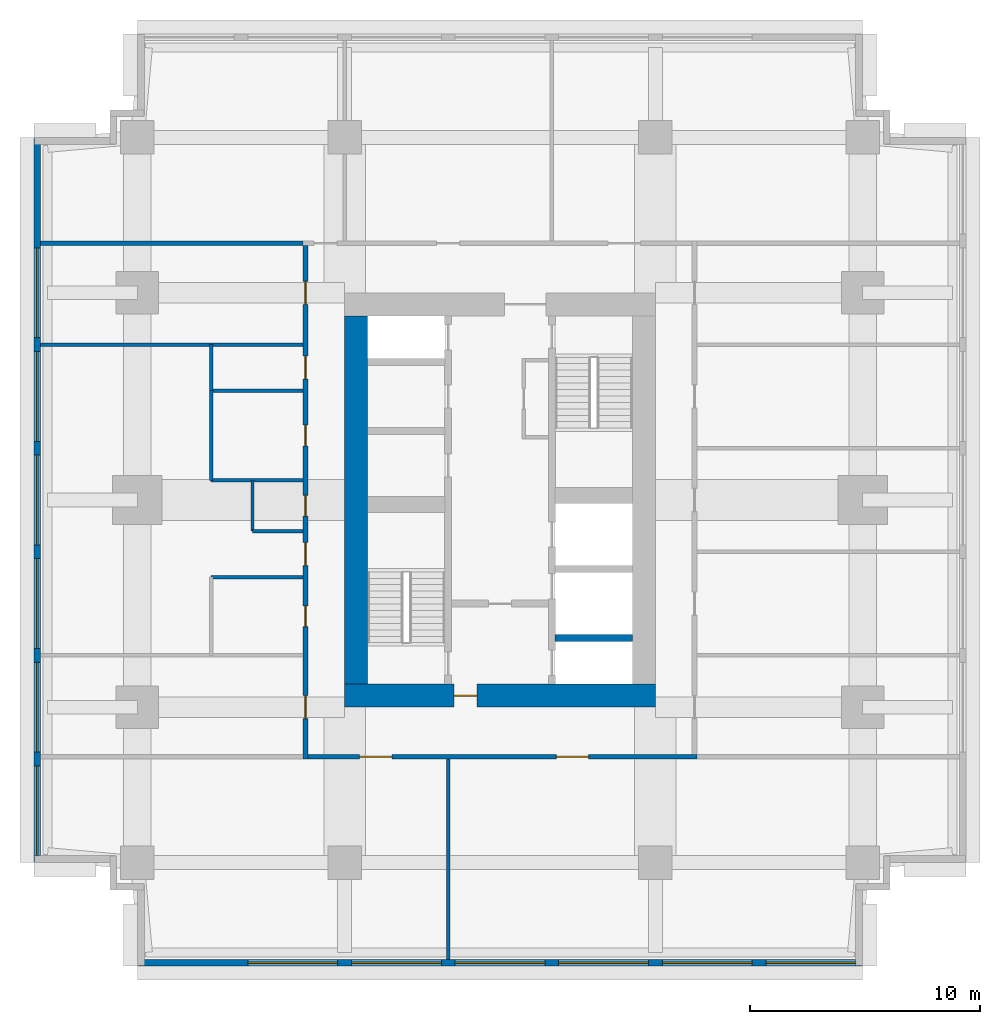
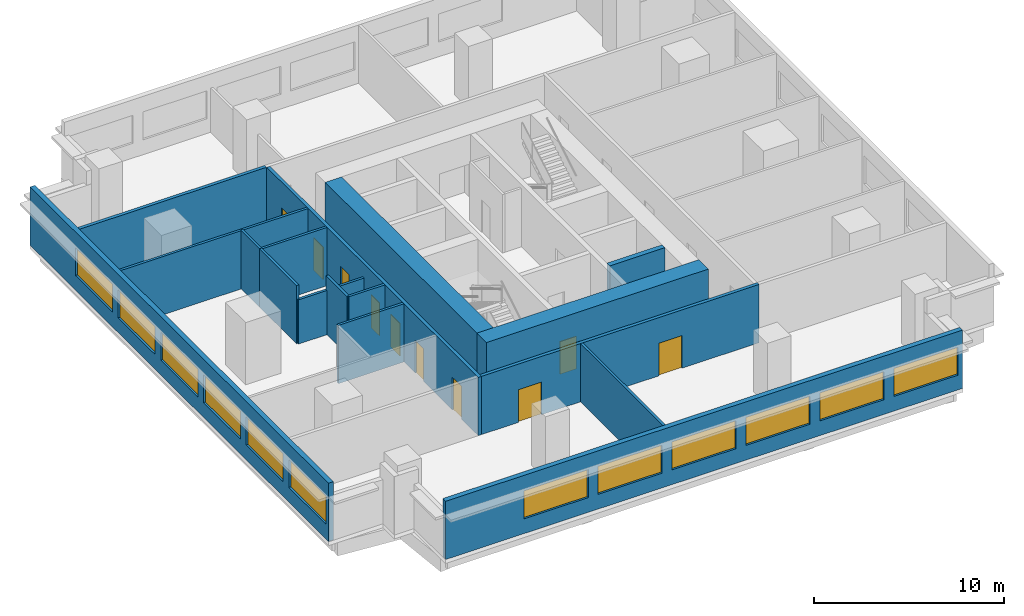
# One storey, part 2 of 5: 17 walls, 12 windows, 10 doors, 22 openings.
"""IFC4 building model written with IfcOpenShell, lengths in metres."""

import ifcopenshell
import ifcopenshell.guid

model = None  # the IFC model being written
_history = None  # IfcOwnerHistory: only IFC2X3 demands one
_inside = {}  # id of a spatial element -> (the spatial element, [elements in it])
_under = {}  # id of a project, library or spatial element -> (it, [spatial elements below it])
_declared = {}  # id of a project -> (the project, [libraries it declares])
_typed = {}  # id of a type object -> (the type object, [elements of that type])
_made_of = {}  # id of a material, layer set ... -> (it, [elements and type objects made of it])


def new_model(schema):
    """Start an empty IFC model of exactly this schema.

    Asked for "IFC4X3", IfcOpenShell would pick the latest addendum, in which some entities
    have other attributes; the version numbers below select the first issue.
    IFC2X3 requires an IfcOwnerHistory on every rooted entity: one is made here for all.
    """
    global model, _history
    if schema == "IFC4X3":
        model = ifcopenshell.file(schema_version=(4, 3, 0, 0))
    else:
        model = ifcopenshell.file(schema=schema)
    _inside.clear()
    _under.clear()
    _declared.clear()
    _typed.clear()
    _made_of.clear()
    _history = None
    if model.schema == "IFC2X3":
        org = make("IfcOrganization", Name="unknown")
        user = make(
            "IfcPersonAndOrganization",
            ThePerson=make("IfcPerson", FamilyName="unknown"),
            TheOrganization=org,
        )
        app = make(
            "IfcApplication",
            ApplicationDeveloper=org,
            Version="unknown",
            ApplicationFullName="unknown",
            ApplicationIdentifier="unknown",
        )
        _history = make(
            "IfcOwnerHistory",
            OwningUser=user,
            OwningApplication=app,
            ChangeAction="ADDED",
            CreationDate=0,
        )
    return model


def make(cls, **values):
    """One entity of the class cls with the attributes given. An attribute that is None is left unset."""
    return model.create_entity(
        cls, **{name: value for name, value in values.items() if value is not None}
    )


def rooted(cls, **values):
    """An entity with a GlobalId (a new one), such as an element, a storey or a relation."""
    return make(cls, GlobalId=ifcopenshell.guid.new(), OwnerHistory=_history, **values)


def si_unit(unit_type, name, prefix=None):
    """IfcSIUnit, for example si_unit("LENGTHUNIT", "METRE", prefix="MILLI")."""
    return make("IfcSIUnit", UnitType=unit_type, Prefix=prefix, Name=name)


def assignment(units):
    """IfcUnitAssignment: the units of a project."""
    return None if units is None else make("IfcUnitAssignment", Units=units)


def point(xyz):
    """IfcCartesianPoint."""
    return None if xyz is None else make("IfcCartesianPoint", Coordinates=xyz)


def direction(xyz):
    """IfcDirection."""
    return None if xyz is None else make("IfcDirection", DirectionRatios=xyz)


def frame(location, z_axis=None, x_axis=None):
    """IfcAxis2Placement3D, a coordinate frame: its origin and axes. An axis left out is left unset."""
    return make(
        "IfcAxis2Placement3D",
        Location=point(location),
        Axis=direction(z_axis),
        RefDirection=direction(x_axis),
    )


def frame_2d(location, x_axis=None):
    """IfcAxis2Placement2D, a coordinate frame in the plane: its origin and x axis."""
    return make(
        "IfcAxis2Placement2D", Location=point(location), RefDirection=direction(x_axis)
    )


def origin():
    """The frame at (0, 0, 0) with its axes left unset."""
    return frame((0.0, 0.0, 0.0))


def place(relative_to, where):
    """IfcLocalPlacement: puts the frame where relative to a parent placement (None: the world)."""
    return make(
        "IfcLocalPlacement", PlacementRelTo=relative_to, RelativePlacement=where
    )


def context(
    kind, dimensions, precision=None, world=None, true_north=None, identifier=None
):
    """IfcGeometricRepresentationContext, for example the 3D "Model" context."""
    return make(
        "IfcGeometricRepresentationContext",
        ContextIdentifier=identifier,
        ContextType=kind,
        CoordinateSpaceDimension=dimensions,
        Precision=precision,
        WorldCoordinateSystem=world,
        TrueNorth=true_north,
    )


def subcontext(parent, identifier, kind, view, scale=None):
    """IfcGeometricRepresentationSubContext, for example "Body" below "Model"."""
    return make(
        "IfcGeometricRepresentationSubContext",
        ContextIdentifier=identifier,
        ContextType=kind,
        ParentContext=parent,
        TargetScale=scale,
        TargetView=view,
    )


def project(units=None, contexts=None):
    """IfcProject with its units and contexts."""
    return rooted(
        "IfcProject",
        Name="project",
        RepresentationContexts=contexts,
        UnitsInContext=assignment(units),
    )


def spatial(cls, under=None, at=None, **own):
    """A site, building, storey or space (cls), placed at a placement, below another one or the project."""
    s = rooted(cls, ObjectPlacement=at, **own)
    if under is not None:
        _under.setdefault(under.id(), (under, []))[1].append(s)
    return s


def profile(cls, at=None, kind="AREA", **sizes):
    """A parametric profile (cls). Its sizes go by their IFC names, for example OverallWidth=200.0."""
    return make(cls, ProfileType=kind, Position=at, **sizes)


def rectangle(**sizes):
    """IfcRectangleProfileDef."""
    return profile("IfcRectangleProfileDef", **sizes)


def extrude(swept, where, along, depth):
    """IfcExtrudedAreaSolid: the profile swept, set in the frame where, extruded along a direction by depth."""
    return make(
        "IfcExtrudedAreaSolid",
        SweptArea=swept,
        Position=where,
        ExtrudedDirection=direction(along),
        Depth=depth,
    )


def shape(context_of_items, identifier, shape_type, items):
    """IfcShapeRepresentation: the items that make up one representation, for example the "Body"."""
    return make(
        "IfcShapeRepresentation",
        ContextOfItems=context_of_items,
        RepresentationIdentifier=identifier,
        RepresentationType=shape_type,
        Items=items,
    )


def material(Name=None, Category=None):
    """IfcMaterial."""
    return make("IfcMaterial", Name=Name, Category=Category)


def layer(
    of_material, thickness, ventilated=None, Name=None, Category=None, Priority=None
):
    """IfcMaterialLayer: one layer of a wall or slab, of a material (None: an air gap)."""
    return make(
        "IfcMaterialLayer",
        Material=of_material,
        LayerThickness=thickness,
        IsVentilated=ventilated,
        Name=Name,
        Category=Category,
        Priority=Priority,
    )


def layer_set(layers, Name=None):
    """IfcMaterialLayerSet."""
    return make("IfcMaterialLayerSet", MaterialLayers=layers, LayerSetName=Name)


def made_of(thing, what):
    """Note that an element or type object is made of a material, layer set ...; save() writes the relation."""
    if what is not None:
        _made_of.setdefault(what.id(), (what, []))[1].append(thing)
    return thing


def type_object(cls, material=None, **own):
    """A type object (cls), such as IfcWallType, which elements share."""
    return made_of(rooted(cls, **own), material)


def element(
    cls,
    number,
    at=None,
    inside=None,
    cuts=None,
    type_object=None,
    material=None,
    context=None,
    identifier="Body",
    shape_type=None,
    held_by="IfcProductDefinitionShape",
    body=None,
    shapes=None,
    **own,
):
    """One element of the class cls, such as IfcWall. Its Tag is "e" and its number.

    at: its placement. inside: the storey or other place that contains it. cuts: it is an
    opening in that element (IfcRelVoidsElement). A single representation is given by context,
    identifier, shape_type and body (its items); several are given by shapes. held_by: the class
    of the entity that holds the representations. save() writes the other relations.
    """
    e = rooted(cls, Tag="e%d" % number, ObjectPlacement=at, **own)
    if body is not None:
        shapes = [shape(context, identifier, shape_type, body)]
    if shapes is not None:
        e.Representation = make(held_by, Representations=shapes)
    if inside is not None:
        _inside.setdefault(inside.id(), (inside, []))[1].append(e)
    if cuts is not None:
        rooted(
            "IfcRelVoidsElement", RelatingBuildingElement=cuts, RelatedOpeningElement=e
        )
    if type_object is not None:
        _typed.setdefault(type_object.id(), (type_object, []))[1].append(e)
    return made_of(e, material)


def fill(opening, filler):
    """IfcRelFillsElement: the door or window that sits in an opening."""
    return rooted(
        "IfcRelFillsElement",
        RelatingOpeningElement=opening,
        RelatedBuildingElement=filler,
    )


def aggregate(whole, parts):
    """IfcRelAggregates: a whole, such as a stair, and the parts it consists of."""
    return rooted("IfcRelAggregates", RelatingObject=whole, RelatedObjects=parts)


def save(model, path):
    """Write the relations noted so far, then the file.

    IfcRelAggregates (storeys below a building ...), IfcRelContainedInSpatialStructure (elements
    in a storey), IfcRelDefinesByType, IfcRelAssociatesMaterial and IfcRelDeclares: one each for
    every whole, place, type object, material and project.
    """
    for whole, parts in _under.values():
        aggregate(whole, parts)
    for where, things in _inside.values():
        rooted(
            "IfcRelContainedInSpatialStructure",
            RelatedElements=things,
            RelatingStructure=where,
        )
    for kind, things in _typed.values():
        rooted("IfcRelDefinesByType", RelatedObjects=things, RelatingType=kind)
    for what, things in _made_of.values():
        rooted("IfcRelAssociatesMaterial", RelatedObjects=things, RelatingMaterial=what)
    for by, libraries in _declared.values():
        rooted("IfcRelDeclares", RelatingContext=by, RelatedDefinitions=libraries)
    model.write(path)


model = new_model("IFC4")

# Units and contexts
model_context = context("Model", 3, precision=1e-05, world=origin(), true_north=direction((0.0, 1.0)))
body_context = subcontext(model_context, "Body", "Model", "MODEL_VIEW")
ifc_project = project(units=[si_unit("LENGTHUNIT", "METRE"), si_unit("AREAUNIT", "SQUARE_METRE"), si_unit("VOLUMEUNIT", "CUBIC_METRE"), si_unit("PLANEANGLEUNIT", "RADIAN"), si_unit("MASSUNIT", "GRAM", prefix="KILO")], contexts=[model_context])

# Site, building, storey
site_placement = place(None, origin())
site = spatial("IfcSite", under=ifc_project, at=site_placement, CompositionType="ELEMENT")
building_placement = place(site_placement, origin())
building = spatial("IfcBuilding", under=site, at=building_placement, Name="Namib Vertical Campus", CompositionType="ELEMENT")
storey_placement = place(building_placement, frame((0.0, 0.0, 257.0)))
storey = spatial("IfcBuildingStorey", under=building, at=storey_placement, Name="L60", CompositionType="ELEMENT", Elevation=257.0)

# Wall
ifc_material_1 = material(Name="Concrete C60/75", Category="concrete")
ifc_layer_1 = layer(ifc_material_1, 0.300048828125)
ifc_layer_set_1 = layer_set([ifc_layer_1], Name="Concrete C60/75")
wall_type_1 = type_object("IfcWallType", Name="Core inner wall 300", PredefinedType="SHEAR", material=ifc_layer_set_1)
wall_1_placement = place(storey_placement, frame((22.64990234375, 14.25, 0.0), z_axis=(0.0, 0.0, 1.0), x_axis=(1.0, 0.0, 0.0)))
element("IfcWall", 1, at=wall_1_placement, inside=storey, type_object=wall_type_1, Name="Core inner wall A L60 W5", PredefinedType="SHEAR", context=body_context, shape_type="SweptSolid", body=[
    extrude(rectangle(XDim=3.35009765625, YDim=0.300048828125, at=frame_2d((1.675048828125, 0.0))), origin(), (0.0, 0.0, 1.0), 4.0),
])

# Wall, opening, door
ifc_material_2 = material(Name="Concrete C60/75", Category="concrete")
ifc_layer_2 = layer(ifc_material_2, 1.0)
ifc_layer_set_2 = layer_set([ifc_layer_2], Name="Concrete C60/75")
wall_type_2 = type_object("IfcWallType", Name="Core wall 1000", PredefinedType="SHEAR", material=ifc_layer_set_2)
wall_2_placement = place(storey_placement, frame((13.5, 11.75, 0.0), z_axis=(0.0, 0.0, 1.0), x_axis=(1.0, 0.0, 0.0)))
wall_2 = element("IfcWall", 2, at=wall_2_placement, inside=storey, type_object=wall_type_2, Name="Core wall A L60 1", PredefinedType="SHEAR", context=body_context, shape_type="SweptSolid", body=[
    extrude(rectangle(XDim=13.5, YDim=1.0, at=frame_2d((6.75, 0.0))), origin(), (0.0, 0.0, 1.0), 4.0),
])
opening_1_placement = place(wall_2_placement, frame((4.75, 0.0, 0.0)))
opening_1 = element("IfcOpeningElement", 3, at=opening_1_placement, cuts=wall_2, Name="Opening FD5", PredefinedType="OPENING", context=body_context, shape_type="SweptSolid", body=[
    extrude(rectangle(XDim=1.0, YDim=2.10009765625, at=frame_2d((0.5, 1.050048828125))), frame((0.0, 0.510009765625, 0.0), z_axis=(0.0, -1.0, 0.0), x_axis=(1.0, 0.0, 0.0)), (0.0, 0.0, 1.0), 1.02001953125),
])
ifc_material_3 = material(Name="Steel fire door", Category="steel")
door_type_1 = type_object("IfcDoorType", Name="Fire door 1000x2100 120 min", OperationType="SINGLE_SWING_RIGHT", PredefinedType="DOOR", material=ifc_material_3)
door_1_placement = place(opening_1_placement, origin())
door_1 = element("IfcDoor", 4, at=door_1_placement, inside=storey, type_object=door_type_1, Name="Firefighting lobby door FD5 A L60", OperationType="SINGLE_SWING_LEFT", OverallHeight=2.10009765625, OverallWidth=1.0, PredefinedType="DOOR", context=body_context, shape_type="SweptSolid", body=[
    extrude(rectangle(XDim=1.0, YDim=2.10009765625, at=frame_2d((0.5, 1.050048828125))), frame((0.0, 0.02490234375, 0.0), z_axis=(0.0, -1.0, 0.0), x_axis=(1.0, 0.0, 0.0)), (0.0, 0.0, 1.0), 0.050048828125),
])
fill(opening_1, door_1)

# Wall
wall_3_placement = place(storey_placement, frame((14.0, 28.25, 0.0), z_axis=(0.0, 0.0, 1.0), x_axis=(0.0, -1.0, 0.0)))
element("IfcWall", 5, at=wall_3_placement, inside=storey, type_object=wall_type_2, Name="Core wall A L60 4", PredefinedType="SHEAR", context=body_context, shape_type="SweptSolid", body=[
    extrude(rectangle(XDim=16.0, YDim=1.0, at=frame_2d((8.0, 0.0))), origin(), (0.0, 0.0, 1.0), 4.0),
])

# Wall, openings, doors
ifc_material_4 = material(Name="Concrete masonry", Category="masonry")
ifc_layer_3 = layer(ifc_material_4, 0.199951171875)
ifc_layer_set_3 = layer_set([ifc_layer_3], Name="Corridor wall 200")
wall_type_3 = type_object("IfcWallType", Name="Corridor wall 200", PredefinedType="SOLIDWALL", material=ifc_layer_set_3)
wall_4_placement = place(storey_placement, frame((11.89990234375, 9.10009765625, 0.0), z_axis=(0.0, 0.0, 1.0), x_axis=(1.0, 0.0, 0.0)))
wall_4 = element("IfcWall", 6, at=wall_4_placement, inside=storey, type_object=wall_type_3, Name="Corridor wall A L60 CS", PredefinedType="SOLIDWALL", context=body_context, shape_type="SweptSolid", body=[
    extrude(rectangle(XDim=16.900146484375, YDim=0.199951171875, at=frame_2d((8.4501953125, 0.0))), origin(), (0.0, 0.0, 1.0), 3.75),
])
opening_2_placement = place(wall_4_placement, frame((2.25, 0.0, 0.0)))
opening_2 = element("IfcOpeningElement", 7, at=opening_2_placement, cuts=wall_4, Name="Opening LB1", PredefinedType="OPENING", context=body_context, shape_type="SweptSolid", body=[
    extrude(rectangle(XDim=1.39990234375, YDim=2.10009765625, at=frame_2d((0.699951171875, 1.050048828125))), frame((0.0, 0.10986328125, 0.0), z_axis=(0.0, -1.0, 0.0), x_axis=(1.0, 0.0, 0.0)), (0.0, 0.0, 1.0), 0.219970703125),
])
opening_3_placement = place(wall_4_placement, frame((10.800048828125, 0.0, 0.0)))
opening_3 = element("IfcOpeningElement", 8, at=opening_3_placement, cuts=wall_4, Name="Opening LB1", PredefinedType="OPENING", context=body_context, shape_type="SweptSolid", body=[
    extrude(rectangle(XDim=1.39990234375, YDim=2.10009765625, at=frame_2d((0.699951171875, 1.050048828125))), frame((0.0, 0.10986328125, 0.0), z_axis=(0.0, -1.0, 0.0), x_axis=(1.0, 0.0, 0.0)), (0.0, 0.0, 1.0), 0.219970703125),
])
ifc_material_5 = material(Name="Timber fire door leaf", Category="wood")
door_type_2 = type_object("IfcDoorType", Name="Laboratory door 1400x2100 leaf and a half", OperationType="DOUBLE_DOOR_SINGLE_SWING", PredefinedType="DOOR", material=ifc_material_5)
door_2_placement = place(opening_2_placement, frame((1.39990234375, 0.0, 0.0), z_axis=(0.0, 0.0, 1.0), x_axis=(-1.0, 0.0, 0.0)))
door_2 = element("IfcDoor", 9, at=door_2_placement, inside=storey, type_object=door_type_2, Name="Door LB1 A60-01", OperationType="DOUBLE_DOOR_SINGLE_SWING", OverallHeight=2.10009765625, OverallWidth=1.39990234375, PredefinedType="DOOR", context=body_context, shape_type="SweptSolid", body=[
    extrude(rectangle(XDim=1.39990234375, YDim=2.10009765625, at=frame_2d((0.699951171875, 1.050048828125))), frame((0.0, 0.02490234375, 0.0), z_axis=(0.0, -1.0, 0.0), x_axis=(1.0, 0.0, 0.0)), (0.0, 0.0, 1.0), 0.050048828125),
])
fill(opening_2, door_2)
door_3_placement = place(opening_3_placement, frame((1.39990234375, 0.0, 0.0), z_axis=(0.0, 0.0, 1.0), x_axis=(-1.0, 0.0, 0.0)))
door_3 = element("IfcDoor", 10, at=door_3_placement, inside=storey, type_object=door_type_2, Name="Door LB1 A60-02", OperationType="DOUBLE_DOOR_SINGLE_SWING", OverallHeight=2.10009765625, OverallWidth=1.39990234375, PredefinedType="DOOR", context=body_context, shape_type="SweptSolid", body=[
    extrude(rectangle(XDim=1.39990234375, YDim=2.10009765625, at=frame_2d((0.699951171875, 1.050048828125))), frame((0.0, 0.02490234375, 0.0), z_axis=(0.0, -1.0, 0.0), x_axis=(1.0, 0.0, 0.0)), (0.0, 0.0, 1.0), 0.050048828125),
])
fill(opening_3, door_3)

wall_5_placement = place(storey_placement, frame((11.800048828125, 31.300048828125, 0.0), z_axis=(0.0, 0.0, 1.0), x_axis=(0.0, -1.0, 0.0)))
wall_5 = element("IfcWall", 11, at=wall_5_placement, inside=storey, type_object=wall_type_3, Name="Corridor wall A L60 CW", PredefinedType="SOLIDWALL", context=body_context, shape_type="SweptSolid", body=[
    extrude(rectangle(XDim=22.300048828125, YDim=0.199951171875, at=frame_2d((11.14990234375, 0.0))), origin(), (0.0, 0.0, 1.0), 3.75),
])
opening_4_placement = place(wall_5_placement, frame((19.550048828125, 0.0, 0.0)))
opening_4 = element("IfcOpeningElement", 12, at=opening_4_placement, cuts=wall_5, Name="Opening CD1", PredefinedType="OPENING", context=body_context, shape_type="SweptSolid", body=[
    extrude(rectangle(XDim=1.0, YDim=2.10009765625, at=frame_2d((0.5, 1.050048828125))), frame((0.0, 0.10986328125, 0.0), z_axis=(0.0, -1.0, 0.0), x_axis=(1.0, 0.0, 0.0)), (0.0, 0.0, 1.0), 0.219970703125),
])
opening_5_placement = place(wall_5_placement, frame((15.64990234375, 0.0, 0.0)))
opening_5 = element("IfcOpeningElement", 13, at=opening_5_placement, cuts=wall_5, Name="Opening CD3", PredefinedType="OPENING", context=body_context, shape_type="SweptSolid", body=[
    extrude(rectangle(XDim=0.89990234375, YDim=2.10009765625, at=frame_2d((0.449951171875, 1.050048828125))), frame((0.0, 0.10986328125, 0.0), z_axis=(0.0, -1.0, 0.0), x_axis=(1.0, 0.0, 0.0)), (0.0, 0.0, 1.0), 0.219970703125),
])
opening_6_placement = place(wall_5_placement, frame((10.85009765625, 0.0, 0.0)))
opening_6 = element("IfcOpeningElement", 14, at=opening_6_placement, cuts=wall_5, Name="Opening CD3", PredefinedType="OPENING", context=body_context, shape_type="SweptSolid", body=[
    extrude(rectangle(XDim=0.89990234375, YDim=2.10009765625, at=frame_2d((0.449951171875, 1.050048828125))), frame((0.0, 0.10986328125, 0.0), z_axis=(0.0, -1.0, 0.0), x_axis=(1.0, 0.0, 0.0)), (0.0, 0.0, 1.0), 0.219970703125),
])
opening_7_placement = place(wall_5_placement, frame((7.800048828125, 0.0, 0.0)))
opening_7 = element("IfcOpeningElement", 15, at=opening_7_placement, cuts=wall_5, Name="Opening CD3", PredefinedType="OPENING", context=body_context, shape_type="SweptSolid", body=[
    extrude(rectangle(XDim=0.89990234375, YDim=2.10009765625, at=frame_2d((0.449951171875, 1.050048828125))), frame((0.0, 0.10986328125, 0.0), z_axis=(0.0, -1.0, 0.0), x_axis=(1.0, 0.0, 0.0)), (0.0, 0.0, 1.0), 0.219970703125),
])
opening_8_placement = place(wall_5_placement, frame((4.800048828125, 0.0, 0.0)))
opening_8 = element("IfcOpeningElement", 16, at=opening_8_placement, cuts=wall_5, Name="Opening CD1", PredefinedType="OPENING", context=body_context, shape_type="SweptSolid", body=[
    extrude(rectangle(XDim=1.0, YDim=2.10009765625, at=frame_2d((0.5, 1.050048828125))), frame((0.0, 0.10986328125, 0.0), z_axis=(0.0, -1.0, 0.0), x_axis=(1.0, 0.0, 0.0)), (0.0, 0.0, 1.0), 0.219970703125),
])
opening_9_placement = place(wall_5_placement, frame((12.89990234375, 0.0, 0.0)))
opening_9 = element("IfcOpeningElement", 17, at=opening_9_placement, cuts=wall_5, Name="Opening CD1", PredefinedType="OPENING", context=body_context, shape_type="SweptSolid", body=[
    extrude(rectangle(XDim=1.0, YDim=2.10009765625, at=frame_2d((0.5, 1.050048828125))), frame((0.0, 0.10986328125, 0.0), z_axis=(0.0, -1.0, 0.0), x_axis=(1.0, 0.0, 0.0)), (0.0, 0.0, 1.0), 0.219970703125),
])
opening_10_placement = place(wall_5_placement, frame((1.550048828125, 0.0, 0.0)))
opening_10 = element("IfcOpeningElement", 18, at=opening_10_placement, cuts=wall_5, Name="Opening CD1", PredefinedType="OPENING", context=body_context, shape_type="SweptSolid", body=[
    extrude(rectangle(XDim=1.0, YDim=2.10009765625, at=frame_2d((0.5, 1.050048828125))), frame((0.0, 0.10986328125, 0.0), z_axis=(0.0, -1.0, 0.0), x_axis=(1.0, 0.0, 0.0)), (0.0, 0.0, 1.0), 0.219970703125),
])
ifc_material_6 = material(Name="Timber fire door leaf", Category="wood")
door_type_3 = type_object("IfcDoorType", Name="Corridor door 1000x2100 20 min", OperationType="SINGLE_SWING_LEFT", PredefinedType="DOOR", material=ifc_material_6)
door_4_placement = place(opening_4_placement, frame((1.0, 0.0, 0.0), z_axis=(0.0, 0.0, 1.0), x_axis=(-1.0, 0.0, 0.0)))
door_4 = element("IfcDoor", 19, at=door_4_placement, inside=storey, type_object=door_type_3, Name="Door CD1 A60-11", OperationType="SINGLE_SWING_RIGHT", OverallHeight=2.10009765625, OverallWidth=1.0, PredefinedType="DOOR", context=body_context, shape_type="SweptSolid", body=[
    extrude(rectangle(XDim=1.0, YDim=2.10009765625, at=frame_2d((0.5, 1.050048828125))), frame((0.0, 0.02490234375, 0.0), z_axis=(0.0, -1.0, 0.0), x_axis=(1.0, 0.0, 0.0)), (0.0, 0.0, 1.0), 0.050048828125),
])
fill(opening_4, door_4)
door_5_placement = place(opening_8_placement, frame((1.0, 0.0, 0.0), z_axis=(0.0, 0.0, 1.0), x_axis=(-1.0, 0.0, 0.0)))
door_5 = element("IfcDoor", 20, at=door_5_placement, inside=storey, type_object=door_type_3, Name="Door CD1 A60-15", OperationType="SINGLE_SWING_RIGHT", OverallHeight=2.10009765625, OverallWidth=1.0, PredefinedType="DOOR", context=body_context, shape_type="SweptSolid", body=[
    extrude(rectangle(XDim=1.0, YDim=2.10009765625, at=frame_2d((0.5, 1.050048828125))), frame((0.0, 0.02490234375, 0.0), z_axis=(0.0, -1.0, 0.0), x_axis=(1.0, 0.0, 0.0)), (0.0, 0.0, 1.0), 0.050048828125),
])
fill(opening_8, door_5)
door_6_placement = place(opening_9_placement, frame((1.0, 0.0, 0.0), z_axis=(0.0, 0.0, 1.0), x_axis=(-1.0, 0.0, 0.0)))
door_6 = element("IfcDoor", 21, at=door_6_placement, inside=storey, type_object=door_type_3, Name="Door CD1 A60-16", OperationType="SINGLE_SWING_RIGHT", OverallHeight=2.10009765625, OverallWidth=1.0, PredefinedType="DOOR", context=body_context, shape_type="SweptSolid", body=[
    extrude(rectangle(XDim=1.0, YDim=2.10009765625, at=frame_2d((0.5, 1.050048828125))), frame((0.0, 0.02490234375, 0.0), z_axis=(0.0, -1.0, 0.0), x_axis=(1.0, 0.0, 0.0)), (0.0, 0.0, 1.0), 0.050048828125),
])
fill(opening_9, door_6)
door_7_placement = place(opening_10_placement, frame((1.0, 0.0, 0.0), z_axis=(0.0, 0.0, 1.0), x_axis=(-1.0, 0.0, 0.0)))
door_7 = element("IfcDoor", 22, at=door_7_placement, inside=storey, type_object=door_type_3, Name="Door CD1 A60-17", OperationType="SINGLE_SWING_RIGHT", OverallHeight=2.10009765625, OverallWidth=1.0, PredefinedType="DOOR", context=body_context, shape_type="SweptSolid", body=[
    extrude(rectangle(XDim=1.0, YDim=2.10009765625, at=frame_2d((0.5, 1.050048828125))), frame((0.0, 0.02490234375, 0.0), z_axis=(0.0, -1.0, 0.0), x_axis=(1.0, 0.0, 0.0)), (0.0, 0.0, 1.0), 0.050048828125),
])
fill(opening_10, door_7)
ifc_material_7 = material(Name="Timber fire door leaf", Category="wood")
door_type_4 = type_object("IfcDoorType", Name="Corridor toilet door 900x2100 20 min", OperationType="SINGLE_SWING_LEFT", PredefinedType="DOOR", material=ifc_material_7)
door_8_placement = place(opening_5_placement, frame((0.89990234375, 0.0, 0.0), z_axis=(0.0, 0.0, 1.0), x_axis=(-1.0, 0.0, 0.0)))
door_8 = element("IfcDoor", 23, at=door_8_placement, inside=storey, type_object=door_type_4, Name="Door CD3 A60-12", OperationType="SINGLE_SWING_RIGHT", OverallHeight=2.10009765625, OverallWidth=0.89990234375, PredefinedType="DOOR", context=body_context, shape_type="SweptSolid", body=[
    extrude(rectangle(XDim=0.89990234375, YDim=2.10009765625, at=frame_2d((0.449951171875, 1.050048828125))), frame((0.0, 0.02490234375, 0.0), z_axis=(0.0, -1.0, 0.0), x_axis=(1.0, 0.0, 0.0)), (0.0, 0.0, 1.0), 0.050048828125),
])
fill(opening_5, door_8)
door_9_placement = place(opening_6_placement, frame((0.89990234375, 0.0, 0.0), z_axis=(0.0, 0.0, 1.0), x_axis=(-1.0, 0.0, 0.0)))
door_9 = element("IfcDoor", 24, at=door_9_placement, inside=storey, type_object=door_type_4, Name="Door CD3 A60-13", OperationType="SINGLE_SWING_RIGHT", OverallHeight=2.10009765625, OverallWidth=0.89990234375, PredefinedType="DOOR", context=body_context, shape_type="SweptSolid", body=[
    extrude(rectangle(XDim=0.89990234375, YDim=2.10009765625, at=frame_2d((0.449951171875, 1.050048828125))), frame((0.0, 0.02490234375, 0.0), z_axis=(0.0, -1.0, 0.0), x_axis=(1.0, 0.0, 0.0)), (0.0, 0.0, 1.0), 0.050048828125),
])
fill(opening_6, door_9)
door_10_placement = place(opening_7_placement, frame((0.89990234375, 0.0, 0.0), z_axis=(0.0, 0.0, 1.0), x_axis=(-1.0, 0.0, 0.0)))
door_10 = element("IfcDoor", 25, at=door_10_placement, inside=storey, type_object=door_type_4, Name="Door CD3 A60-14", OperationType="SINGLE_SWING_RIGHT", OverallHeight=2.10009765625, OverallWidth=0.89990234375, PredefinedType="DOOR", context=body_context, shape_type="SweptSolid", body=[
    extrude(rectangle(XDim=0.89990234375, YDim=2.10009765625, at=frame_2d((0.449951171875, 1.050048828125))), frame((0.0, 0.02490234375, 0.0), z_axis=(0.0, -1.0, 0.0), x_axis=(1.0, 0.0, 0.0)), (0.0, 0.0, 1.0), 0.050048828125),
])
fill(opening_7, door_10)

# Wall
wall_6_placement = place(storey_placement, frame((0.300048828125, 31.39990234375, 0.0), z_axis=(0.0, 0.0, 1.0), x_axis=(1.0, 0.0, 0.0)))
element("IfcWall", 26, at=wall_6_placement, inside=storey, type_object=wall_type_3, Name="Partition A L60 BNW", PredefinedType="SOLIDWALL", context=body_context, shape_type="SweptSolid", body=[
    extrude(rectangle(XDim=11.39990234375, YDim=0.199951171875, at=frame_2d((5.699951171875, 0.0))), origin(), (0.0, 0.0, 1.0), 3.75),
])

# Wall, openings, windows
ifc_material_8 = material(Name="Concrete C40/50", Category="concrete")
ifc_layer_4 = layer(ifc_material_8, 0.300048828125)
ifc_layer_set_4 = layer_set([ifc_layer_4], Name="Concrete C40/50")
wall_type_4 = type_object("IfcWallType", Name="External wall 300 board-marked concrete", PredefinedType="STANDARD", material=ifc_layer_set_4)
wall_7_placement = place(storey_placement, frame((4.52001953125, 0.14990234375, 0.0), z_axis=(0.0, 0.0, 1.0), x_axis=(1.0, 0.0, 0.0)))
wall_7 = element("IfcWall", 27, at=wall_7_placement, inside=storey, type_object=wall_type_4, Name="External wall L60 F01", PredefinedType="STANDARD", context=body_context, shape_type="SweptSolid", body=[
    extrude(rectangle(XDim=31.4599609375, YDim=0.300048828125, at=frame_2d((15.72998046875, 0.0))), origin(), (0.0, 0.0, 1.0), 3.75),
])
opening_11_placement = place(wall_7_placement, frame((4.780029296875, 0.0, 0.949951171875)))
opening_11 = element("IfcOpeningElement", 28, at=opening_11_placement, cuts=wall_7, Name="Opening W3", PredefinedType="OPENING", context=body_context, shape_type="SweptSolid", body=[
    extrude(rectangle(XDim=3.89990234375, YDim=1.800048828125, at=frame_2d((1.949951171875, 0.89990234375))), frame((0.0, 0.159912109375, 0.0), z_axis=(0.0, -1.0, 0.0), x_axis=(1.0, 0.0, 0.0)), (0.0, 0.0, 1.0), 0.320068359375),
])
opening_12_placement = place(wall_7_placement, frame((9.280029296875, 0.0, 0.949951171875)))
opening_12 = element("IfcOpeningElement", 29, at=opening_12_placement, cuts=wall_7, Name="Opening W3", PredefinedType="OPENING", context=body_context, shape_type="SweptSolid", body=[
    extrude(rectangle(XDim=3.89990234375, YDim=1.800048828125, at=frame_2d((1.949951171875, 0.89990234375))), frame((0.0, 0.159912109375, 0.0), z_axis=(0.0, -1.0, 0.0), x_axis=(1.0, 0.0, 0.0)), (0.0, 0.0, 1.0), 0.320068359375),
])
opening_13_placement = place(wall_7_placement, frame((13.780029296875, 0.0, 0.949951171875)))
opening_13 = element("IfcOpeningElement", 30, at=opening_13_placement, cuts=wall_7, Name="Opening W3", PredefinedType="OPENING", context=body_context, shape_type="SweptSolid", body=[
    extrude(rectangle(XDim=3.89990234375, YDim=1.800048828125, at=frame_2d((1.949951171875, 0.89990234375))), frame((0.0, 0.159912109375, 0.0), z_axis=(0.0, -1.0, 0.0), x_axis=(1.0, 0.0, 0.0)), (0.0, 0.0, 1.0), 0.320068359375),
])
opening_14_placement = place(wall_7_placement, frame((18.280029296875, 0.0, 0.949951171875)))
opening_14 = element("IfcOpeningElement", 31, at=opening_14_placement, cuts=wall_7, Name="Opening W3", PredefinedType="OPENING", context=body_context, shape_type="SweptSolid", body=[
    extrude(rectangle(XDim=3.89990234375, YDim=1.800048828125, at=frame_2d((1.949951171875, 0.89990234375))), frame((0.0, 0.159912109375, 0.0), z_axis=(0.0, -1.0, 0.0), x_axis=(1.0, 0.0, 0.0)), (0.0, 0.0, 1.0), 0.320068359375),
])
opening_15_placement = place(wall_7_placement, frame((22.780029296875, 0.0, 0.949951171875)))
opening_15 = element("IfcOpeningElement", 32, at=opening_15_placement, cuts=wall_7, Name="Opening W3", PredefinedType="OPENING", context=body_context, shape_type="SweptSolid", body=[
    extrude(rectangle(XDim=3.89990234375, YDim=1.800048828125, at=frame_2d((1.949951171875, 0.89990234375))), frame((0.0, 0.159912109375, 0.0), z_axis=(0.0, -1.0, 0.0), x_axis=(1.0, 0.0, 0.0)), (0.0, 0.0, 1.0), 0.320068359375),
])
opening_16_placement = place(wall_7_placement, frame((27.280029296875, 0.0, 0.949951171875)))
opening_16 = element("IfcOpeningElement", 33, at=opening_16_placement, cuts=wall_7, Name="Opening W3", PredefinedType="OPENING", context=body_context, shape_type="SweptSolid", body=[
    extrude(rectangle(XDim=3.89990234375, YDim=1.800048828125, at=frame_2d((1.949951171875, 0.89990234375))), frame((0.0, 0.159912109375, 0.0), z_axis=(0.0, -1.0, 0.0), x_axis=(1.0, 0.0, 0.0)), (0.0, 0.0, 1.0), 0.320068359375),
])
ifc_material_9 = material(Name="Dark tinted glass in black aluminium frame", Category="aluminium")
window_type = type_object("IfcWindowType", Name="Ribbon window 3900x1800", PartitioningType="SINGLE_PANEL", PredefinedType="WINDOW", material=ifc_material_9)
window_1_placement = place(opening_11_placement, origin())
window_1 = element("IfcWindow", 34, at=window_1_placement, inside=storey, type_object=window_type, Name="Window W3 L60 F01-2", OverallHeight=1.800048828125, OverallWidth=3.89990234375, PartitioningType="SINGLE_PANEL", PredefinedType="WINDOW", context=body_context, shape_type="SweptSolid", body=[
    extrude(rectangle(XDim=3.89990234375, YDim=1.800048828125, at=frame_2d((1.949951171875, 0.89990234375))), frame((0.0, 0.030029296875, 0.0), z_axis=(0.0, -1.0, 0.0), x_axis=(1.0, 0.0, 0.0)), (0.0, 0.0, 1.0), 0.06005859375),
])
fill(opening_11, window_1)
window_2_placement = place(opening_12_placement, origin())
window_2 = element("IfcWindow", 35, at=window_2_placement, inside=storey, type_object=window_type, Name="Window W3 L60 F01-3", OverallHeight=1.800048828125, OverallWidth=3.89990234375, PartitioningType="SINGLE_PANEL", PredefinedType="WINDOW", context=body_context, shape_type="SweptSolid", body=[
    extrude(rectangle(XDim=3.89990234375, YDim=1.800048828125, at=frame_2d((1.949951171875, 0.89990234375))), frame((0.0, 0.030029296875, 0.0), z_axis=(0.0, -1.0, 0.0), x_axis=(1.0, 0.0, 0.0)), (0.0, 0.0, 1.0), 0.06005859375),
])
fill(opening_12, window_2)
window_3_placement = place(opening_13_placement, origin())
window_3 = element("IfcWindow", 36, at=window_3_placement, inside=storey, type_object=window_type, Name="Window W3 L60 F01-4", OverallHeight=1.800048828125, OverallWidth=3.89990234375, PartitioningType="SINGLE_PANEL", PredefinedType="WINDOW", context=body_context, shape_type="SweptSolid", body=[
    extrude(rectangle(XDim=3.89990234375, YDim=1.800048828125, at=frame_2d((1.949951171875, 0.89990234375))), frame((0.0, 0.030029296875, 0.0), z_axis=(0.0, -1.0, 0.0), x_axis=(1.0, 0.0, 0.0)), (0.0, 0.0, 1.0), 0.06005859375),
])
fill(opening_13, window_3)
window_4_placement = place(opening_14_placement, origin())
window_4 = element("IfcWindow", 37, at=window_4_placement, inside=storey, type_object=window_type, Name="Window W3 L60 F01-5", OverallHeight=1.800048828125, OverallWidth=3.89990234375, PartitioningType="SINGLE_PANEL", PredefinedType="WINDOW", context=body_context, shape_type="SweptSolid", body=[
    extrude(rectangle(XDim=3.89990234375, YDim=1.800048828125, at=frame_2d((1.949951171875, 0.89990234375))), frame((0.0, 0.030029296875, 0.0), z_axis=(0.0, -1.0, 0.0), x_axis=(1.0, 0.0, 0.0)), (0.0, 0.0, 1.0), 0.06005859375),
])
fill(opening_14, window_4)
window_5_placement = place(opening_15_placement, origin())
window_5 = element("IfcWindow", 38, at=window_5_placement, inside=storey, type_object=window_type, Name="Window W3 L60 F01-6", OverallHeight=1.800048828125, OverallWidth=3.89990234375, PartitioningType="SINGLE_PANEL", PredefinedType="WINDOW", context=body_context, shape_type="SweptSolid", body=[
    extrude(rectangle(XDim=3.89990234375, YDim=1.800048828125, at=frame_2d((1.949951171875, 0.89990234375))), frame((0.0, 0.030029296875, 0.0), z_axis=(0.0, -1.0, 0.0), x_axis=(1.0, 0.0, 0.0)), (0.0, 0.0, 1.0), 0.06005859375),
])
fill(opening_15, window_5)
window_6_placement = place(opening_16_placement, origin())
window_6 = element("IfcWindow", 39, at=window_6_placement, inside=storey, type_object=window_type, Name="Window W3 L60 F01-7", OverallHeight=1.800048828125, OverallWidth=3.89990234375, PartitioningType="SINGLE_PANEL", PredefinedType="WINDOW", context=body_context, shape_type="SweptSolid", body=[
    extrude(rectangle(XDim=3.89990234375, YDim=1.800048828125, at=frame_2d((1.949951171875, 0.89990234375))), frame((0.0, 0.030029296875, 0.0), z_axis=(0.0, -1.0, 0.0), x_axis=(1.0, 0.0, 0.0)), (0.0, 0.0, 1.0), 0.06005859375),
])
fill(opening_16, window_6)

wall_8_placement = place(storey_placement, frame((0.14990234375, 35.97998046875, 0.0), z_axis=(0.0, 0.0, 1.0), x_axis=(0.0, -1.0, 0.0)))
wall_8 = element("IfcWall", 40, at=wall_8_placement, inside=storey, type_object=wall_type_4, Name="External wall L60 F16", PredefinedType="STANDARD", context=body_context, shape_type="SweptSolid", body=[
    extrude(rectangle(XDim=31.4599609375, YDim=0.300048828125, at=frame_2d((15.72998046875, 0.0))), origin(), (0.0, 0.0, 1.0), 3.75),
])
opening_17_placement = place(wall_8_placement, frame((27.280029296875, 0.0, 0.949951171875)))
opening_17 = element("IfcOpeningElement", 41, at=opening_17_placement, cuts=wall_8, Name="Opening W3", PredefinedType="OPENING", context=body_context, shape_type="SweptSolid", body=[
    extrude(rectangle(XDim=3.89990234375, YDim=1.800048828125, at=frame_2d((1.949951171875, 0.89990234375))), frame((0.0, 0.159912109375, 0.0), z_axis=(0.0, -1.0, 0.0), x_axis=(1.0, 0.0, 0.0)), (0.0, 0.0, 1.0), 0.320068359375),
])
opening_18_placement = place(wall_8_placement, frame((22.780029296875, 0.0, 0.949951171875)))
opening_18 = element("IfcOpeningElement", 42, at=opening_18_placement, cuts=wall_8, Name="Opening W3", PredefinedType="OPENING", context=body_context, shape_type="SweptSolid", body=[
    extrude(rectangle(XDim=3.89990234375, YDim=1.800048828125, at=frame_2d((1.949951171875, 0.89990234375))), frame((0.0, 0.159912109375, 0.0), z_axis=(0.0, -1.0, 0.0), x_axis=(1.0, 0.0, 0.0)), (0.0, 0.0, 1.0), 0.320068359375),
])
opening_19_placement = place(wall_8_placement, frame((18.280029296875, 0.0, 0.949951171875)))
opening_19 = element("IfcOpeningElement", 43, at=opening_19_placement, cuts=wall_8, Name="Opening W3", PredefinedType="OPENING", context=body_context, shape_type="SweptSolid", body=[
    extrude(rectangle(XDim=3.89990234375, YDim=1.800048828125, at=frame_2d((1.949951171875, 0.89990234375))), frame((0.0, 0.159912109375, 0.0), z_axis=(0.0, -1.0, 0.0), x_axis=(1.0, 0.0, 0.0)), (0.0, 0.0, 1.0), 0.320068359375),
])
opening_20_placement = place(wall_8_placement, frame((13.780029296875, 0.0, 0.949951171875)))
opening_20 = element("IfcOpeningElement", 44, at=opening_20_placement, cuts=wall_8, Name="Opening W3", PredefinedType="OPENING", context=body_context, shape_type="SweptSolid", body=[
    extrude(rectangle(XDim=3.89990234375, YDim=1.800048828125, at=frame_2d((1.949951171875, 0.89990234375))), frame((0.0, 0.159912109375, 0.0), z_axis=(0.0, -1.0, 0.0), x_axis=(1.0, 0.0, 0.0)), (0.0, 0.0, 1.0), 0.320068359375),
])
opening_21_placement = place(wall_8_placement, frame((9.280029296875, 0.0, 0.949951171875)))
opening_21 = element("IfcOpeningElement", 45, at=opening_21_placement, cuts=wall_8, Name="Opening W3", PredefinedType="OPENING", context=body_context, shape_type="SweptSolid", body=[
    extrude(rectangle(XDim=3.89990234375, YDim=1.800048828125, at=frame_2d((1.949951171875, 0.89990234375))), frame((0.0, 0.159912109375, 0.0), z_axis=(0.0, -1.0, 0.0), x_axis=(1.0, 0.0, 0.0)), (0.0, 0.0, 1.0), 0.320068359375),
])
opening_22_placement = place(wall_8_placement, frame((4.780029296875, 0.0, 0.949951171875)))
opening_22 = element("IfcOpeningElement", 46, at=opening_22_placement, cuts=wall_8, Name="Opening W3", PredefinedType="OPENING", context=body_context, shape_type="SweptSolid", body=[
    extrude(rectangle(XDim=3.89990234375, YDim=1.800048828125, at=frame_2d((1.949951171875, 0.89990234375))), frame((0.0, 0.159912109375, 0.0), z_axis=(0.0, -1.0, 0.0), x_axis=(1.0, 0.0, 0.0)), (0.0, 0.0, 1.0), 0.320068359375),
])
window_7_placement = place(opening_17_placement, origin())
window_7 = element("IfcWindow", 47, at=window_7_placement, inside=storey, type_object=window_type, Name="Window W3 L60 F16-1", OverallHeight=1.800048828125, OverallWidth=3.89990234375, PartitioningType="SINGLE_PANEL", PredefinedType="WINDOW", context=body_context, shape_type="SweptSolid", body=[
    extrude(rectangle(XDim=3.89990234375, YDim=1.800048828125, at=frame_2d((1.949951171875, 0.89990234375))), frame((0.0, 0.030029296875, 0.0), z_axis=(0.0, -1.0, 0.0), x_axis=(1.0, 0.0, 0.0)), (0.0, 0.0, 1.0), 0.06005859375),
])
fill(opening_17, window_7)
window_8_placement = place(opening_18_placement, origin())
window_8 = element("IfcWindow", 48, at=window_8_placement, inside=storey, type_object=window_type, Name="Window W3 L60 F16-2", OverallHeight=1.800048828125, OverallWidth=3.89990234375, PartitioningType="SINGLE_PANEL", PredefinedType="WINDOW", context=body_context, shape_type="SweptSolid", body=[
    extrude(rectangle(XDim=3.89990234375, YDim=1.800048828125, at=frame_2d((1.949951171875, 0.89990234375))), frame((0.0, 0.030029296875, 0.0), z_axis=(0.0, -1.0, 0.0), x_axis=(1.0, 0.0, 0.0)), (0.0, 0.0, 1.0), 0.06005859375),
])
fill(opening_18, window_8)
window_9_placement = place(opening_19_placement, origin())
window_9 = element("IfcWindow", 49, at=window_9_placement, inside=storey, type_object=window_type, Name="Window W3 L60 F16-3", OverallHeight=1.800048828125, OverallWidth=3.89990234375, PartitioningType="SINGLE_PANEL", PredefinedType="WINDOW", context=body_context, shape_type="SweptSolid", body=[
    extrude(rectangle(XDim=3.89990234375, YDim=1.800048828125, at=frame_2d((1.949951171875, 0.89990234375))), frame((0.0, 0.030029296875, 0.0), z_axis=(0.0, -1.0, 0.0), x_axis=(1.0, 0.0, 0.0)), (0.0, 0.0, 1.0), 0.06005859375),
])
fill(opening_19, window_9)
window_10_placement = place(opening_20_placement, origin())
window_10 = element("IfcWindow", 50, at=window_10_placement, inside=storey, type_object=window_type, Name="Window W3 L60 F16-4", OverallHeight=1.800048828125, OverallWidth=3.89990234375, PartitioningType="SINGLE_PANEL", PredefinedType="WINDOW", context=body_context, shape_type="SweptSolid", body=[
    extrude(rectangle(XDim=3.89990234375, YDim=1.800048828125, at=frame_2d((1.949951171875, 0.89990234375))), frame((0.0, 0.030029296875, 0.0), z_axis=(0.0, -1.0, 0.0), x_axis=(1.0, 0.0, 0.0)), (0.0, 0.0, 1.0), 0.06005859375),
])
fill(opening_20, window_10)
window_11_placement = place(opening_21_placement, origin())
window_11 = element("IfcWindow", 51, at=window_11_placement, inside=storey, type_object=window_type, Name="Window W3 L60 F16-5", OverallHeight=1.800048828125, OverallWidth=3.89990234375, PartitioningType="SINGLE_PANEL", PredefinedType="WINDOW", context=body_context, shape_type="SweptSolid", body=[
    extrude(rectangle(XDim=3.89990234375, YDim=1.800048828125, at=frame_2d((1.949951171875, 0.89990234375))), frame((0.0, 0.030029296875, 0.0), z_axis=(0.0, -1.0, 0.0), x_axis=(1.0, 0.0, 0.0)), (0.0, 0.0, 1.0), 0.06005859375),
])
fill(opening_21, window_11)
window_12_placement = place(opening_22_placement, origin())
window_12 = element("IfcWindow", 52, at=window_12_placement, inside=storey, type_object=window_type, Name="Window W3 L60 F16-6", OverallHeight=1.800048828125, OverallWidth=3.89990234375, PartitioningType="SINGLE_PANEL", PredefinedType="WINDOW", context=body_context, shape_type="SweptSolid", body=[
    extrude(rectangle(XDim=3.89990234375, YDim=1.800048828125, at=frame_2d((1.949951171875, 0.89990234375))), frame((0.0, 0.030029296875, 0.0), z_axis=(0.0, -1.0, 0.0), x_axis=(1.0, 0.0, 0.0)), (0.0, 0.0, 1.0), 0.06005859375),
])
fill(opening_22, window_12)

# Walls
ifc_material_10 = material(Name="Gypsum board on steel studs", Category="steel")
ifc_layer_5 = layer(ifc_material_10, 0.14990234375)
ifc_layer_set_5 = layer_set([ifc_layer_5], Name="Gypsum board on steel studs")
wall_type_5 = type_object("IfcWallType", Name="Partition 150", PredefinedType="PARTITIONING", material=ifc_layer_set_5)
wall_9_placement = place(storey_placement, frame((18.0, 0.300048828125, 0.0), z_axis=(0.0, 0.0, 1.0), x_axis=(0.0, 1.0, 0.0)))
element("IfcWall", 53, at=wall_9_placement, inside=storey, type_object=wall_type_5, Name="Partition A L60 PS1", PredefinedType="PARTITIONING", context=body_context, shape_type="SweptSolid", body=[
    extrude(rectangle(XDim=8.699951171875, YDim=0.14990234375, at=frame_2d((4.35009765625, 0.0))), origin(), (0.0, 0.0, 1.0), 3.75),
])
wall_10_placement = place(storey_placement, frame((0.300048828125, 27.0, 0.0), z_axis=(0.0, 0.0, 1.0), x_axis=(1.0, 0.0, 0.0)))
element("IfcWall", 54, at=wall_10_placement, inside=storey, type_object=wall_type_5, Name="Partition A L60 PW2", PredefinedType="PARTITIONING", context=body_context, shape_type="SweptSolid", body=[
    extrude(rectangle(XDim=11.39990234375, YDim=0.14990234375, at=frame_2d((5.699951171875, 0.0))), origin(), (0.0, 0.0, 1.0), 3.75),
])
wall_11_placement = place(storey_placement, frame((11.699951171875, 16.89990234375, 0.0), z_axis=(0.0, 0.0, 1.0), x_axis=(-1.0, 0.0, 0.0)))
element("IfcWall", 55, at=wall_11_placement, inside=storey, type_object=wall_type_5, Name="Partition A L60 WR1", PredefinedType="PARTITIONING", context=body_context, shape_type="SweptSolid", body=[
    extrude(rectangle(XDim=4.0, YDim=0.14990234375, at=frame_2d((2.0, 0.0))), origin(), (0.0, 0.0, 1.0), 3.75),
])
wall_12_placement = place(storey_placement, frame((11.699951171875, 18.89990234375, 0.0), z_axis=(0.0, 0.0, 1.0), x_axis=(-1.0, 0.0, 0.0)))
element("IfcWall", 56, at=wall_12_placement, inside=storey, type_object=wall_type_5, Name="Partition A L60 WR2", PredefinedType="PARTITIONING", context=body_context, shape_type="SweptSolid", body=[
    extrude(rectangle(XDim=2.199951171875, YDim=0.14990234375, at=frame_2d((1.10009765625, 0.0))), origin(), (0.0, 0.0, 1.0), 3.75),
])
wall_13_placement = place(storey_placement, frame((11.699951171875, 21.10009765625, 0.0), z_axis=(0.0, 0.0, 1.0), x_axis=(-1.0, 0.0, 0.0)))
element("IfcWall", 57, at=wall_13_placement, inside=storey, type_object=wall_type_5, Name="Partition A L60 WR3", PredefinedType="PARTITIONING", context=body_context, shape_type="SweptSolid", body=[
    extrude(rectangle(XDim=4.0, YDim=0.14990234375, at=frame_2d((2.0, 0.0))), origin(), (0.0, 0.0, 1.0), 2.85009765625),
])
wall_14_placement = place(storey_placement, frame((11.699951171875, 25.0, 0.0), z_axis=(0.0, 0.0, 1.0), x_axis=(-1.0, 0.0, 0.0)))
element("IfcWall", 58, at=wall_14_placement, inside=storey, type_object=wall_type_5, Name="Partition A L60 WR4", PredefinedType="PARTITIONING", context=body_context, shape_type="SweptSolid", body=[
    extrude(rectangle(XDim=4.0, YDim=0.14990234375, at=frame_2d((2.0, 0.0))), origin(), (0.0, 0.0, 1.0), 3.75),
])
wall_15_placement = place(storey_placement, frame((9.5, 18.89990234375, 0.0), z_axis=(0.0, 0.0, 1.0), x_axis=(0.0, 1.0, 0.0)))
element("IfcWall", 59, at=wall_15_placement, inside=storey, type_object=wall_type_5, Name="Partition A L60 WB2", PredefinedType="PARTITIONING", context=body_context, shape_type="SweptSolid", body=[
    extrude(rectangle(XDim=2.2001953125, YDim=0.14990234375, at=frame_2d((1.10009765625, 0.0))), origin(), (0.0, 0.0, 1.0), 3.75),
])
wall_16_placement = place(storey_placement, frame((7.699951171875, 21.10009765625, 0.0), z_axis=(0.0, 0.0, 1.0), x_axis=(0.0, 1.0, 0.0)))
element("IfcWall", 60, at=wall_16_placement, inside=storey, type_object=wall_type_5, Name="Partition A L60 WB3", PredefinedType="PARTITIONING", context=body_context, shape_type="SweptSolid", body=[
    extrude(rectangle(XDim=3.89990234375, YDim=0.14990234375, at=frame_2d((1.949951171875, 0.0))), origin(), (0.0, 0.0, 1.0), 3.75),
])
wall_17_placement = place(storey_placement, frame((7.699951171875, 25.0, 0.0), z_axis=(0.0, 0.0, 1.0), x_axis=(0.0, 1.0, 0.0)))
element("IfcWall", 61, at=wall_17_placement, inside=storey, type_object=wall_type_5, Name="Partition A L60 WB4", PredefinedType="PARTITIONING", context=body_context, shape_type="SweptSolid", body=[
    extrude(rectangle(XDim=2.0, YDim=0.14990234375, at=frame_2d((1.0, 0.0))), origin(), (0.0, 0.0, 1.0), 3.75),
])

save(model, "model.ifc")
